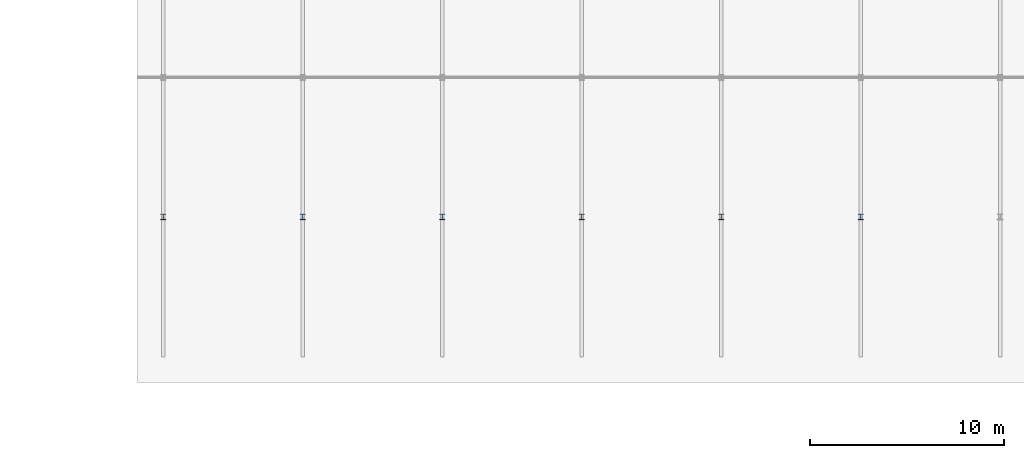
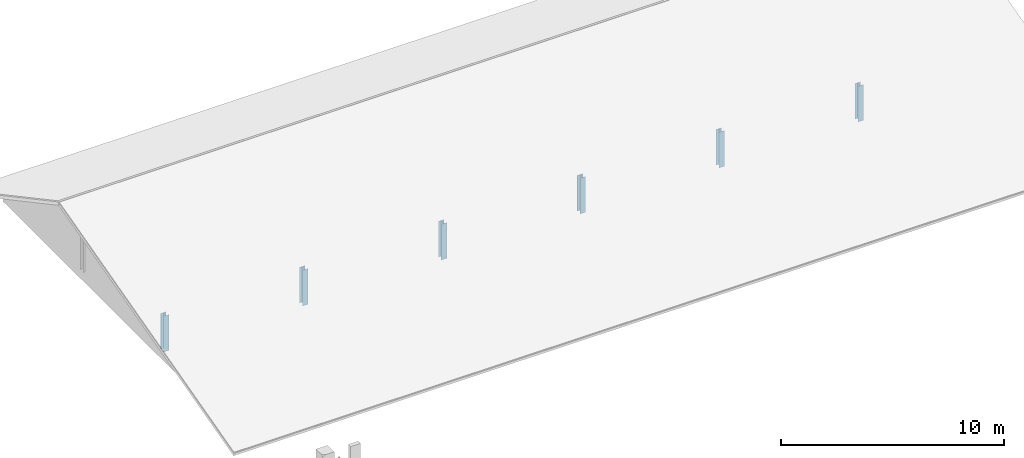
# One storey, part 2 of 157: 6 columns.
"""IFC4 building model written with IfcOpenShell, lengths in metres."""

from ifc_helpers import new_model, si_unit, direction, frame, origin, origin_2d, place, context, subcontext, project, spatial, i_section, extrude, material, material_profile, profile_set, type_object, element, save


model = new_model("IFC4")

# Units and contexts
model_context = context("Model", 3, precision=1e-05, world=origin(), true_north=direction((0.0, 1.0)))
body_context = subcontext(model_context, "Body", "Model", "MODEL_VIEW")
ifc_project = project(units=[si_unit("LENGTHUNIT", "METRE"), si_unit("AREAUNIT", "SQUARE_METRE"), si_unit("VOLUMEUNIT", "CUBIC_METRE"), si_unit("PLANEANGLEUNIT", "RADIAN"), si_unit("MASSUNIT", "GRAM", prefix="KILO")], contexts=[model_context])

# Site, building, storey
site_placement = place(None, origin())
site = spatial("IfcSite", under=ifc_project, at=site_placement, CompositionType="ELEMENT")
building_placement = place(site_placement, origin())
building = spatial("IfcBuilding", under=site, at=building_placement, Name="Suanplinth Sawtooth Commons", CompositionType="ELEMENT")
storey_placement = place(building_placement, frame((0.0, 0.0, 9.0)))
storey = spatial("IfcBuildingStorey", under=building, at=storey_placement, Name="L02", CompositionType="ELEMENT", Elevation=9.0)

# Columns
ifc_material = material(Name="Steel S355JR", Category="steel")
ifc_material_profile = material_profile(ifc_material, i_section(OverallWidth=0.280029296875, OverallDepth=0.280029296875, WebThickness=0.010498046875, FlangeThickness=0.01806640625, at=origin_2d()), Name="HEB 280")
ifc_profile_set = profile_set([ifc_material_profile], Name="Steel S355JR")
column_type = type_object("IfcColumnType", Name="C-11", PredefinedType="COLUMN", material=ifc_profile_set)
for number, where, z_axis, x_axis, name in (
    (1, (14.39990234375, 57.60009765625, 0.0), (0.0, 0.0, 1.0), (1.0, 0.0, 0.0), "Market Mid-Span Post 3"),
    (2, (21.60009765625, 57.60009765625, 0.0), (0.0, 0.0, 1.0), (1.0, 0.0, 0.0), "Market Mid-Span Post 4"),
    (3, (28.800048828125, 57.60009765625, 0.0), (0.0, 0.0, 1.0), (1.0, 0.0, 0.0), "Market Mid-Span Post 5"),
    (4, (36.0, 57.60009765625, 0.0), (0.0, 0.0, 1.0), (1.0, 0.0, 0.0), "Market Mid-Span Post 6"),
    (5, (43.199951171875, 57.60009765625, 0.0), (0.0, 0.0, 1.0), (1.0, 0.0, 0.0), "Market Mid-Span Post 7"),
    (6, (50.39990234375, 57.60009765625, 0.0), (0.0, 0.0, 1.0), (1.0, 0.0, 0.0), "Market Mid-Span Post 8"),
):
    element("IfcColumn", number, at=place(storey_placement, frame(where, z_axis=z_axis, x_axis=x_axis)), inside=storey, type_object=column_type, Name=name, PredefinedType="COLUMN", context=body_context, shape_type="SweptSolid", body=[
        extrude(i_section(OverallWidth=0.280029296875, OverallDepth=0.280029296875, WebThickness=0.010498046875, FlangeThickness=0.01806640625, at=origin_2d()), origin(), (0.0, 0.0, 1.0), 1.949951171875),
    ])

save(model, "model.ifc")
